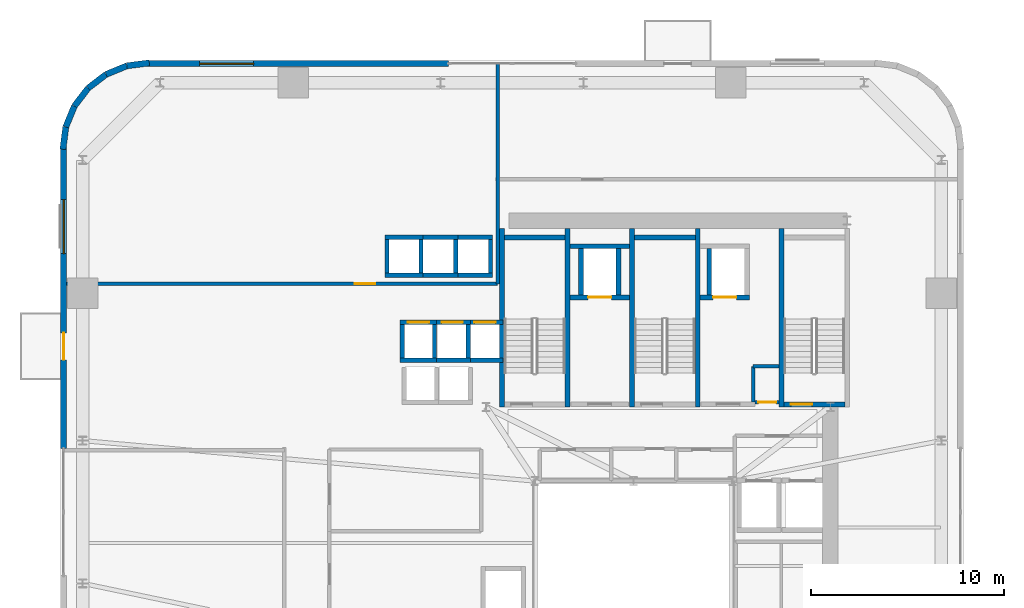
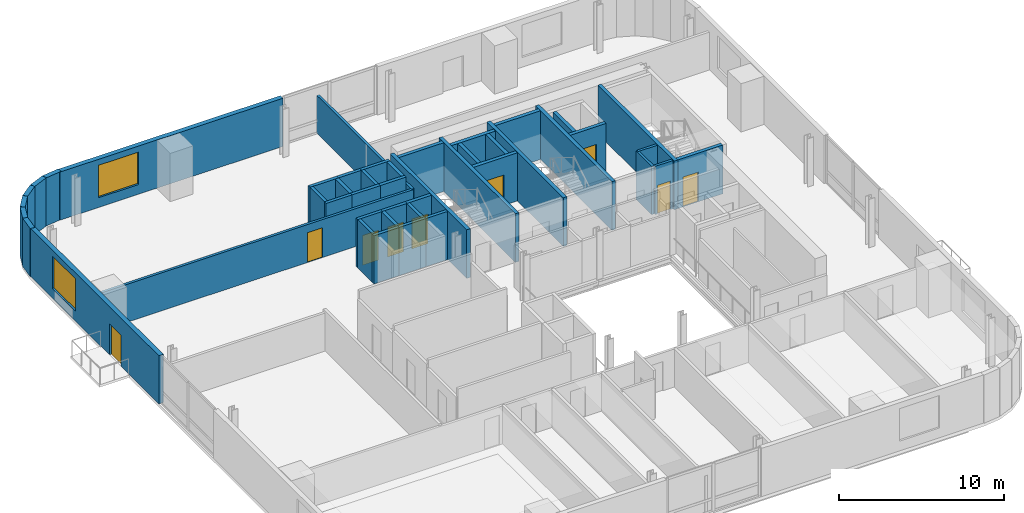
# One storey, part 8 of 14: 46 walls, 9 doors, 2 windows, 11 openings.
"""IFC4 building model written with IfcOpenShell, lengths in metres."""

from ifc_helpers import new_model, si_unit, direction, frame, frame_2d, origin, place, context, subcontext, project, spatial, rectangle, extrude, source, transform, mapped, material, layer, layer_set, type_object, element, fill, save


model = new_model("IFC4")

# Units and contexts
model_context = context("Model", 3, precision=1e-05, world=origin(), true_north=direction((0.0, 1.0)))
body_context = subcontext(model_context, "Body", "Model", "MODEL_VIEW")
ifc_project = project(units=[si_unit("LENGTHUNIT", "METRE"), si_unit("AREAUNIT", "SQUARE_METRE"), si_unit("VOLUMEUNIT", "CUBIC_METRE"), si_unit("PLANEANGLEUNIT", "RADIAN"), si_unit("MASSUNIT", "GRAM", prefix="KILO")], contexts=[model_context])

# Site, building, storey
site_placement = place(None, origin())
site = spatial("IfcSite", under=ifc_project, at=site_placement, CompositionType="ELEMENT")
building_placement = place(site_placement, origin())
building = spatial("IfcBuilding", under=site, at=building_placement, Name="Vardaveli Station Tower", CompositionType="ELEMENT")
storey_placement = place(building_placement, frame((0.0, 0.0, 103.699951171875)))
storey = spatial("IfcBuildingStorey", under=building, at=storey_placement, Name="L26", CompositionType="ELEMENT", Elevation=103.699951171875)

# Wall, opening, window
ifc_material_1 = material(Name="Precast concrete C45/55", Category="concrete")
ifc_layer_1 = layer(ifc_material_1, 0.320068359375, Name="Precast concrete C45/55")
ifc_layer_set_1 = layer_set([ifc_layer_1], Name="Precast concrete C45/55")
wall_type_1 = type_object("IfcWallType", Name="WAL-EXT-STONE-320", PredefinedType="SOLIDWALL", material=ifc_layer_set_1)
shared_shape_1 = source(origin(), body_context, "Body", "SweptSolid", [
    extrude(rectangle(XDim=15.599853515625, YDim=0.320068359375, at=frame_2d((7.7998046875, 0.0))), origin(), (0.0, 0.0, 1.0), 3.56005859375),
])
wall_1_placement = place(storey_placement, frame((26.699951171875, 48.43994140625, 0.0), z_axis=(0.0, 0.0, 1.0), x_axis=(-1.0, 0.0, 0.0)))
wall_1 = element("IfcWall", 1, at=wall_1_placement, inside=storey, type_object=wall_type_1, Name="EW-L26-N2", PredefinedType="SOLIDWALL", context=body_context, shape_type="MappedRepresentation", body=[
    mapped(shared_shape_1, transform((0.0, 0.0, 0.0), scale=1.0)),
])
shared_shape_2 = source(origin(), body_context, "Body", "SweptSolid", [
    extrude(rectangle(XDim=2.800048828125, YDim=2.39990234375, at=frame_2d((1.39990234375, 1.199951171875))), frame((0.0, 0.169921875, 0.0), z_axis=(0.0, -1.0, 0.0), x_axis=(1.0, 0.0, 0.0)), (0.0, 0.0, 1.0), 0.340087890625),
])
opening_1_placement = place(wall_1_placement, frame((10.094970703125, 0.0, 0.719970703125)))
opening_1 = element("IfcOpeningElement", 2, at=opening_1_placement, cuts=wall_1, Name="Opening W-04", PredefinedType="OPENING", context=body_context, shape_type="MappedRepresentation", body=[
    mapped(shared_shape_2, transform((0.0, 0.0, 0.0), scale=1.0)),
])
ifc_material_2 = material(Name="Low-E solar-control glass", Category="glass")
window_type = type_object("IfcWindowType", Name="WIN-SUITE-2800x2400", PartitioningType="SINGLE_PANEL", PredefinedType="WINDOW", material=ifc_material_2)
shared_shape_3 = source(origin(), body_context, "Body", "SweptSolid", [
    extrude(rectangle(XDim=2.800048828125, YDim=2.39990234375, at=frame_2d((1.39990234375, 1.199951171875))), frame((0.0, 0.030029296875, 0.0), z_axis=(0.0, -1.0, 0.0), x_axis=(1.0, 0.0, 0.0)), (0.0, 0.0, 1.0), 0.06005859375),
])
window_1_placement = place(opening_1_placement, origin())
window_1 = element("IfcWindow", 3, at=window_1_placement, inside=storey, type_object=window_type, Name="WN-L26-N2", OverallHeight=2.39990234375, OverallWidth=2.800048828125, PartitioningType="SINGLE_PANEL", PredefinedType="WINDOW", context=body_context, shape_type="MappedRepresentation", body=[
    mapped(shared_shape_3, transform((0.0, 0.0, 0.0), scale=1.0)),
])
fill(opening_1, window_1)

# Wall, openings, door, window
shared_shape_4 = source(origin(), body_context, "Body", "SweptSolid", [
    extrude(rectangle(XDim=15.60009765625, YDim=0.320068359375, at=frame_2d((7.800048828125, 0.0))), origin(), (0.0, 0.0, 1.0), 3.56005859375),
])
wall_2_placement = place(storey_placement, frame((6.760009765625, 44.10009765625, 0.0), z_axis=(0.0, 0.0, 1.0), x_axis=(0.0, -1.0, 0.0)))
wall_2 = element("IfcWall", 4, at=wall_2_placement, inside=storey, type_object=wall_type_1, Name="EW-L26-W1", PredefinedType="SOLIDWALL", context=body_context, shape_type="MappedRepresentation", body=[
    mapped(shared_shape_4, transform((0.0, 0.0, 0.0), scale=1.0)),
])
shared_shape_5 = source(origin(), body_context, "Body", "SweptSolid", [
    extrude(rectangle(XDim=1.39990234375, YDim=2.300048828125, at=frame_2d((0.699951171875, 1.14990234375))), frame((0.0, 0.169921875, 0.0), z_axis=(0.0, -1.0, 0.0), x_axis=(1.0, 0.0, 0.0)), (0.0, 0.0, 1.0), 0.340087890625),
])
opening_2_placement = place(wall_2_placement, frame((9.6103515625, 0.0, 0.0)))
opening_2 = element("IfcOpeningElement", 5, at=opening_2_placement, cuts=wall_2, Name="Opening D-09", PredefinedType="OPENING", context=body_context, shape_type="MappedRepresentation", body=[
    mapped(shared_shape_5, transform((0.0, 0.0, 0.0), scale=1.0)),
])
opening_3_placement = place(wall_2_placement, frame((2.705078125, 0.0, 0.719970703125)))
opening_3 = element("IfcOpeningElement", 6, at=opening_3_placement, cuts=wall_2, Name="Opening W-04", PredefinedType="OPENING", context=body_context, shape_type="MappedRepresentation", body=[
    mapped(shared_shape_2, transform((0.0, 0.0, 0.0), scale=1.0)),
])
ifc_material_3 = material(Name="Thermally broken aluminium glass", Category="aluminium")
door_type_1 = type_object("IfcDoorType", Name="DR-LOG-1400x2300", OperationType="DOUBLE_DOOR_SLIDING", PredefinedType="DOOR", material=ifc_material_3)
shared_shape_6 = source(origin(), body_context, "Body", "SweptSolid", [
    extrude(rectangle(XDim=1.39990234375, YDim=2.300048828125, at=frame_2d((0.699951171875, 1.14990234375))), frame((0.0, 0.02490234375, 0.0), z_axis=(0.0, -1.0, 0.0), x_axis=(1.0, 0.0, 0.0)), (0.0, 0.0, 1.0), 0.050048828125),
])
door_1_placement = place(opening_2_placement, frame((1.39990234375, 0.0, 0.0), z_axis=(0.0, 0.0, 1.0), x_axis=(-1.0, 0.0, 0.0)))
door_1 = element("IfcDoor", 7, at=door_1_placement, inside=storey, type_object=door_type_1, Name="DLG-L26-W", OperationType="DOUBLE_DOOR_SLIDING", OverallHeight=2.300048828125, OverallWidth=1.39990234375, PredefinedType="DOOR", context=body_context, shape_type="MappedRepresentation", body=[
    mapped(shared_shape_6, transform((0.0, 0.0, 0.0), scale=1.0)),
])
fill(opening_2, door_1)
window_2_placement = place(opening_3_placement, origin())
window_2 = element("IfcWindow", 8, at=window_2_placement, inside=storey, type_object=window_type, Name="WN-L26-W1", OverallHeight=2.39990234375, OverallWidth=2.800048828125, PartitioningType="SINGLE_PANEL", PredefinedType="WINDOW", context=body_context, shape_type="MappedRepresentation", body=[
    mapped(shared_shape_3, transform((0.0, 0.0, 0.0), scale=1.0)),
])
fill(opening_3, window_2)

# Walls
shared_shape_7 = source(origin(), body_context, "Body", "SweptSolid", [
    extrude(rectangle(XDim=1.1689453125, YDim=0.320068359375, at=frame_2d((0.58447265625, 0.0))), origin(), (0.0, 0.0, 1.0), 3.56005859375),
])
wall_3_placement = place(storey_placement, frame((8.03125, 47.1689453125, 0.0), z_axis=(0.0, 0.0, 1.0), x_axis=(-0.608387696831, -0.793639975269, 0.0)))
element("IfcWall", 9, at=wall_3_placement, inside=storey, type_object=wall_type_1, Name="EW-L26-CR4-4", PredefinedType="SOLIDWALL", context=body_context, shape_type="MappedRepresentation", body=[
    mapped(shared_shape_7, transform((0.0, 0.0, 0.0), scale=1.0)),
])
shared_shape_8 = source(origin(), body_context, "Body", "SweptSolid", [
    extrude(rectangle(XDim=1.168701171875, YDim=0.320068359375, at=frame_2d((0.58447265625, 0.0))), origin(), (0.0, 0.0, 1.0), 3.56005859375),
])
wall_4_placement = place(storey_placement, frame((8.958740234375, 47.8798828125, 0.0), z_axis=(0.0, 0.0, 1.0), x_axis=(-0.793663520347, -0.608356981114, 0.0)))
element("IfcWall", 10, at=wall_4_placement, inside=storey, type_object=wall_type_1, Name="EW-L26-CR4-3", PredefinedType="SOLIDWALL", context=body_context, shape_type="MappedRepresentation", body=[
    mapped(shared_shape_8, transform((0.0, 0.0, 0.0), scale=1.0)),
])
shared_shape_9 = source(origin(), body_context, "Body", "SweptSolid", [
    extrude(rectangle(XDim=1.17041015625, YDim=0.320068359375, at=frame_2d((0.585205078125, 0.0))), origin(), (0.0, 0.0, 1.0), 3.56005859375),
])
for number, where, z_axis, x_axis, name in (
    (11, (11.200439453125, 48.4755859375, 0.0), (0.0, 0.0, 1.0), (-0.991735963317, -0.128295670475, 0.0), "EW-L26-CR4-1"),
    (12, (6.87451171875, 45.16015625, 0.0), (0.0, 0.0, 1.0), (-0.128295670475, -0.991735963317, 0.0), "EW-L26-CR4-6"),
):
    element("IfcWall", number, at=place(storey_placement, frame(where, z_axis=z_axis, x_axis=x_axis)), inside=storey, type_object=wall_type_1, Name=name, PredefinedType="SOLIDWALL", context=body_context, shape_type="MappedRepresentation", body=[
        mapped(shared_shape_9, transform((0.0, 0.0, 0.0), scale=1.0)),
    ])
shared_shape_10 = source(origin(), body_context, "Body", "SweptSolid", [
    extrude(rectangle(XDim=1.169189453125, YDim=0.320068359375, at=frame_2d((0.58447265625, 0.0))), origin(), (0.0, 0.0, 1.0), 3.56005859375),
])
for number, where, z_axis, x_axis, name in (
    (13, (10.039794921875, 48.325439453125, 0.0), (0.0, 0.0, 1.0), (-0.924552646638, -0.381054331552, 0.0), "EW-L26-CR4-2"),
    (14, (7.320068359375, 46.2412109375, 0.0), (0.0, 0.0, 1.0), (-0.381054331552, -0.924552646638, 0.0), "EW-L26-CR4-5"),
):
    element("IfcWall", number, at=place(storey_placement, frame(where, z_axis=z_axis, x_axis=x_axis)), inside=storey, type_object=wall_type_1, Name=name, PredefinedType="SOLIDWALL", context=body_context, shape_type="MappedRepresentation", body=[
        mapped(shared_shape_10, transform((0.0, 0.0, 0.0), scale=1.0)),
    ])
ifc_material_4 = material(Name="Concrete C40/50", Category="concrete")
ifc_layer_2 = layer(ifc_material_4, 0.25, Name="Concrete C40/50")
ifc_layer_set_2 = layer_set([ifc_layer_2], Name="Concrete C40/50")
wall_type_2 = type_object("IfcWallType", Name="WAL-SHAFT-250", PredefinedType="SOLIDWALL", material=ifc_layer_set_2)
shared_shape_11 = source(origin(), body_context, "Body", "SweptSolid", [
    extrude(rectangle(XDim=9.25, YDim=0.25, at=frame_2d((4.625, 0.0))), origin(), (0.0, 0.0, 1.0), 3.60009765625),
])
for number, where, z_axis, x_axis, name in (
    (15, (29.47509765625, 30.64990234375, 0.0), (0.0, 0.0, 1.0), (0.0, 1.0, 0.0), "W-L26-ST-1W"),
    (16, (32.875, 30.64990234375, 0.0), (0.0, 0.0, 1.0), (0.0, 1.0, 0.0), "W-L26-ST-1E"),
    (17, (36.22509765625, 30.64990234375, 0.0), (0.0, 0.0, 1.0), (0.0, 1.0, 0.0), "W-L26-ST-2W"),
    (18, (39.625, 30.64990234375, 0.0), (0.0, 0.0, 1.0), (0.0, 1.0, 0.0), "W-L26-ST-2E"),
    (19, (43.97509765625, 30.64990234375, 0.0), (0.0, 0.0, 1.0), (0.0, 1.0, 0.0), "W-L26-ST-3W"),
):
    element("IfcWall", number, at=place(storey_placement, frame(where, z_axis=z_axis, x_axis=x_axis)), inside=storey, type_object=wall_type_2, Name=name, PredefinedType="SOLIDWALL", context=body_context, shape_type="MappedRepresentation", body=[
        mapped(shared_shape_11, transform((0.0, 0.0, 0.0), scale=1.0)),
    ])
shared_shape_12 = source(origin(), body_context, "Body", "SweptSolid", [
    extrude(rectangle(XDim=3.14990234375, YDim=0.25, at=frame_2d((1.574951171875, 0.0))), origin(), (0.0, 0.0, 1.0), 3.60009765625),
])
for number, where, z_axis, x_axis, name in (
    (20, (29.60009765625, 39.425048828125, 0.0), (0.0, 0.0, 1.0), (1.0, 0.0, 0.0), "W-L26-ST-1N"),
    (21, (36.35009765625, 39.425048828125, 0.0), (0.0, 0.0, 1.0), (1.0, 0.0, 0.0), "W-L26-ST-2N"),
):
    element("IfcWall", number, at=place(storey_placement, frame(where, z_axis=z_axis, x_axis=x_axis)), inside=storey, type_object=wall_type_2, Name=name, PredefinedType="SOLIDWALL", context=body_context, shape_type="MappedRepresentation", body=[
        mapped(shared_shape_12, transform((0.0, 0.0, 0.0), scale=1.0)),
    ])

# Wall, opening, door
wall_5_placement = place(storey_placement, frame((44.10009765625, 30.77490234375, 0.0), z_axis=(0.0, 0.0, 1.0), x_axis=(1.0, 0.0, 0.0)))
wall_5 = element("IfcWall", 22, at=wall_5_placement, inside=storey, type_object=wall_type_2, Name="W-L26-ST-3S", PredefinedType="SOLIDWALL", context=body_context, shape_type="MappedRepresentation", body=[
    mapped(shared_shape_12, transform((0.0, 0.0, 0.0), scale=1.0)),
])
shared_shape_13 = source(origin(), body_context, "Body", "SweptSolid", [
    extrude(rectangle(XDim=1.10009765625, YDim=2.199951171875, at=frame_2d((0.550048828125, 1.10009765625))), frame((0.0, 0.135009765625, 0.0), z_axis=(0.0, -1.0, 0.0), x_axis=(1.0, 0.0, 0.0)), (0.0, 0.0, 1.0), 0.27001953125),
])
opening_4_placement = place(wall_5_placement, frame((0.35009765625, 0.0, 0.0)))
opening_4 = element("IfcOpeningElement", 23, at=opening_4_placement, cuts=wall_5, Name="Opening D-04", PredefinedType="OPENING", context=body_context, shape_type="MappedRepresentation", body=[
    mapped(shared_shape_13, transform((0.0, 0.0, 0.0), scale=1.0)),
])
ifc_material_5 = material(Name="Steel smokeproof fire doorset", Category="steel")
door_type_2 = type_object("IfcDoorType", Name="DR-ST-1100x2200", OperationType="NOTDEFINED", PredefinedType="DOOR", material=ifc_material_5)
shared_shape_14 = source(origin(), body_context, "Body", "SweptSolid", [
    extrude(rectangle(XDim=1.10009765625, YDim=2.199951171875, at=frame_2d((0.550048828125, 1.10009765625))), frame((0.0, 0.02490234375, 0.0), z_axis=(0.0, -1.0, 0.0), x_axis=(1.0, 0.0, 0.0)), (0.0, 0.0, 1.0), 0.050048828125),
])
door_2_placement = place(opening_4_placement, origin())
door_2 = element("IfcDoor", 24, at=door_2_placement, inside=storey, type_object=door_type_2, Name="DST-3-L26", OperationType="SINGLE_SWING_LEFT", OverallHeight=2.199951171875, OverallWidth=1.10009765625, PredefinedType="DOOR", context=body_context, shape_type="MappedRepresentation", body=[
    mapped(shared_shape_14, transform((0.0, 0.0, 0.0), scale=1.0)),
])
fill(opening_4, door_2)

# Walls
ifc_layer_3 = layer(ifc_material_4, 0.219970703125, Name="Concrete C40/50")
ifc_layer_set_3 = layer_set([ifc_layer_3], Name="Concrete C40/50")
wall_type_3 = type_object("IfcWallType", Name="WAL-FFLOBBY-220", PredefinedType="SOLIDWALL", material=ifc_layer_set_3)
shared_shape_15 = source(origin(), body_context, "Body", "SweptSolid", [
    extrude(rectangle(XDim=1.989990234375, YDim=0.219970703125, at=frame_2d((0.9951171875, 0.0))), origin(), (0.0, 0.0, 1.0), 3.56005859375),
])
for number, where, z_axis, x_axis, name in (
    (25, (23.405029296875, 37.465087890625, 0.0), (0.0, 0.0, 1.0), (1.0, 0.0, 0.0), "SHW-HL1-01-L26-S"),
    (26, (23.405029296875, 39.43505859375, 0.0), (0.0, 0.0, 1.0), (1.0, 0.0, 0.0), "SHW-HL1-01-L26-N"),
    (27, (25.205078125, 37.465087890625, 0.0), (0.0, 0.0, 1.0), (1.0, 0.0, 0.0), "SHW-HL1-02-L26-S"),
    (28, (25.205078125, 39.43505859375, 0.0), (0.0, 0.0, 1.0), (1.0, 0.0, 0.0), "SHW-HL1-02-L26-N"),
):
    element("IfcWall", number, at=place(storey_placement, frame(where, z_axis=z_axis, x_axis=x_axis)), inside=storey, type_object=wall_type_3, Name=name, PredefinedType="SOLIDWALL", context=body_context, shape_type="MappedRepresentation", body=[
        mapped(shared_shape_15, transform((0.0, 0.0, 0.0), scale=1.0)),
    ])
shared_shape_16 = source(origin(), body_context, "Body", "SweptSolid", [
    extrude(rectangle(XDim=1.75, YDim=0.219970703125, at=frame_2d((0.875, 0.0))), origin(), (0.0, 0.0, 1.0), 3.56005859375),
])
for number, where, z_axis, x_axis, name in (
    (29, (23.514892578125, 37.574951171875, 0.0), (0.0, 0.0, 1.0), (0.0, 1.0, 0.0), "SHW-HL1-01-L26-W"),
    (30, (25.284912109375, 37.574951171875, 0.0), (0.0, 0.0, 1.0), (0.0, 1.0, 0.0), "SHW-HL1-01-L26-E"),
    (31, (27.0849609375, 37.574951171875, 0.0), (0.0, 0.0, 1.0), (0.0, 1.0, 0.0), "SHW-HL1-02-L26-E"),
    (32, (28.885009765625, 37.574951171875, 0.0), (0.0, 0.0, 1.0), (0.0, 1.0, 0.0), "SHW-HL1-03-L26-E"),
    (33, (24.31494140625, 33.175048828125, 0.0), (0.0, 0.0, 1.0), (0.0, 1.0, 0.0), "SHW-HL2-01-L26-W"),
    (34, (25.985107421875, 33.175048828125, 0.0), (0.0, 0.0, 1.0), (0.0, 1.0, 0.0), "SHW-HL2-01-L26-E"),
    (35, (27.735107421875, 33.175048828125, 0.0), (0.0, 0.0, 1.0), (0.0, 1.0, 0.0), "SHW-HL2-02-L26-E"),
):
    element("IfcWall", number, at=place(storey_placement, frame(where, z_axis=z_axis, x_axis=x_axis)), inside=storey, type_object=wall_type_3, Name=name, PredefinedType="SOLIDWALL", context=body_context, shape_type="MappedRepresentation", body=[
        mapped(shared_shape_16, transform((0.0, 0.0, 0.0), scale=1.0)),
    ])
shared_shape_17 = source(origin(), body_context, "Body", "SweptSolid", [
    extrude(rectangle(XDim=1.990234375, YDim=0.219970703125, at=frame_2d((0.9951171875, 0.0))), origin(), (0.0, 0.0, 1.0), 3.56005859375),
])
for number, where, z_axis, x_axis, name in (
    (36, (27.0048828125, 37.465087890625, 0.0), (0.0, 0.0, 1.0), (1.0, 0.0, 0.0), "SHW-HL1-03-L26-S"),
    (37, (27.0048828125, 39.43505859375, 0.0), (0.0, 0.0, 1.0), (1.0, 0.0, 0.0), "SHW-HL1-03-L26-N"),
):
    element("IfcWall", number, at=place(storey_placement, frame(where, z_axis=z_axis, x_axis=x_axis)), inside=storey, type_object=wall_type_3, Name=name, PredefinedType="SOLIDWALL", context=body_context, shape_type="MappedRepresentation", body=[
        mapped(shared_shape_17, transform((0.0, 0.0, 0.0), scale=1.0)),
    ])
shared_shape_18 = source(origin(), body_context, "Body", "SweptSolid", [
    extrude(rectangle(XDim=1.889892578125, YDim=0.219970703125, at=frame_2d((0.94482421875, 0.0))), origin(), (0.0, 0.0, 1.0), 3.56005859375),
])
wall_6_placement = place(storey_placement, frame((24.205078125, 33.06494140625, 0.0), z_axis=(0.0, 0.0, 1.0), x_axis=(1.0, 0.0, 0.0)))
element("IfcWall", 38, at=wall_6_placement, inside=storey, type_object=wall_type_3, Name="SHW-HL2-01-L26-S", PredefinedType="SOLIDWALL", context=body_context, shape_type="MappedRepresentation", body=[
    mapped(shared_shape_18, transform((0.0, 0.0, 0.0), scale=1.0)),
])

# Wall, opening, door
wall_7_placement = place(storey_placement, frame((24.205078125, 35.034912109375, 0.0), z_axis=(0.0, 0.0, 1.0), x_axis=(1.0, 0.0, 0.0)))
wall_7 = element("IfcWall", 39, at=wall_7_placement, inside=storey, type_object=wall_type_3, Name="SHW-HL2-01-L26-N", PredefinedType="SOLIDWALL", context=body_context, shape_type="MappedRepresentation", body=[
    mapped(shared_shape_18, transform((0.0, 0.0, 0.0), scale=1.0)),
])
shared_shape_19 = source(origin(), body_context, "Body", "SweptSolid", [
    extrude(rectangle(XDim=1.10009765625, YDim=2.199951171875, at=frame_2d((0.550048828125, 1.10009765625))), frame((0.0, 0.1201171875, 0.0), z_axis=(0.0, -1.0, 0.0), x_axis=(1.0, 0.0, 0.0)), (0.0, 0.0, 1.0), 0.239990234375),
])
opening_5_placement = place(wall_7_placement, frame((0.39501953125, 0.0, 0.0)))
opening_5 = element("IfcOpeningElement", 40, at=opening_5_placement, cuts=wall_7, Name="Opening LD-01", PredefinedType="OPENING", context=body_context, shape_type="MappedRepresentation", body=[
    mapped(shared_shape_19, transform((0.0, 0.0, 0.0), scale=1.0)),
])
ifc_material_6 = material(Name="Brushed stainless steel", Category="steel")
door_type_3 = type_object("IfcDoorType", Name="DR-LD-1100x2200", OperationType="DOUBLE_DOOR_SLIDING", PredefinedType="DOOR", material=ifc_material_6)
door_3_placement = place(opening_5_placement, origin())
door_3 = element("IfcDoor", 41, at=door_3_placement, inside=storey, type_object=door_type_3, Name="LD-HL2-01-L26", OperationType="DOUBLE_DOOR_SLIDING", OverallHeight=2.199951171875, OverallWidth=1.10009765625, PredefinedType="DOOR", context=body_context, shape_type="MappedRepresentation", body=[
    mapped(shared_shape_14, transform((0.0, 0.0, 0.0), scale=1.0)),
])
fill(opening_5, door_3)

# Wall
wall_8_placement = place(storey_placement, frame((25.955078125, 33.06494140625, 0.0), z_axis=(0.0, 0.0, 1.0), x_axis=(1.0, 0.0, 0.0)))
element("IfcWall", 42, at=wall_8_placement, inside=storey, type_object=wall_type_3, Name="SHW-HL2-02-L26-S", PredefinedType="SOLIDWALL", context=body_context, shape_type="MappedRepresentation", body=[
    mapped(shared_shape_18, transform((0.0, 0.0, 0.0), scale=1.0)),
])

# Wall, opening, door
wall_9_placement = place(storey_placement, frame((25.955078125, 35.034912109375, 0.0), z_axis=(0.0, 0.0, 1.0), x_axis=(1.0, 0.0, 0.0)))
wall_9 = element("IfcWall", 43, at=wall_9_placement, inside=storey, type_object=wall_type_3, Name="SHW-HL2-02-L26-N", PredefinedType="SOLIDWALL", context=body_context, shape_type="MappedRepresentation", body=[
    mapped(shared_shape_18, transform((0.0, 0.0, 0.0), scale=1.0)),
])
opening_6_placement = place(wall_9_placement, frame((0.39501953125, 0.0, 0.0)))
opening_6 = element("IfcOpeningElement", 44, at=opening_6_placement, cuts=wall_9, Name="Opening LD-01", PredefinedType="OPENING", context=body_context, shape_type="MappedRepresentation", body=[
    mapped(shared_shape_19, transform((0.0, 0.0, 0.0), scale=1.0)),
])
door_4_placement = place(opening_6_placement, origin())
door_4 = element("IfcDoor", 45, at=door_4_placement, inside=storey, type_object=door_type_3, Name="LD-HL2-02-L26", OperationType="DOUBLE_DOOR_SLIDING", OverallHeight=2.199951171875, OverallWidth=1.10009765625, PredefinedType="DOOR", context=body_context, shape_type="MappedRepresentation", body=[
    mapped(shared_shape_14, transform((0.0, 0.0, 0.0), scale=1.0)),
])
fill(opening_6, door_4)

# Wall
wall_10_placement = place(storey_placement, frame((27.655029296875, 33.06494140625, 0.0), z_axis=(0.0, 0.0, 1.0), x_axis=(1.0, 0.0, 0.0)))
element("IfcWall", 46, at=wall_10_placement, inside=storey, type_object=wall_type_3, Name="SHW-HL2-03-L26-S", PredefinedType="SOLIDWALL", context=body_context, shape_type="MappedRepresentation", body=[
    mapped(shared_shape_18, transform((0.0, 0.0, 0.0), scale=1.0)),
])

# Wall, opening, door
wall_11_placement = place(storey_placement, frame((27.655029296875, 35.034912109375, 0.0), z_axis=(0.0, 0.0, 1.0), x_axis=(1.0, 0.0, 0.0)))
wall_11 = element("IfcWall", 47, at=wall_11_placement, inside=storey, type_object=wall_type_3, Name="SHW-HL2-03-L26-N", PredefinedType="SOLIDWALL", context=body_context, shape_type="MappedRepresentation", body=[
    mapped(shared_shape_18, transform((0.0, 0.0, 0.0), scale=1.0)),
])
opening_7_placement = place(wall_11_placement, frame((0.39501953125, 0.0, 0.0)))
opening_7 = element("IfcOpeningElement", 48, at=opening_7_placement, cuts=wall_11, Name="Opening LD-01", PredefinedType="OPENING", context=body_context, shape_type="MappedRepresentation", body=[
    mapped(shared_shape_19, transform((0.0, 0.0, 0.0), scale=1.0)),
])
door_5_placement = place(opening_7_placement, origin())
door_5 = element("IfcDoor", 49, at=door_5_placement, inside=storey, type_object=door_type_3, Name="LD-HL2-03-L26", OperationType="DOUBLE_DOOR_SLIDING", OverallHeight=2.199951171875, OverallWidth=1.10009765625, PredefinedType="DOOR", context=body_context, shape_type="MappedRepresentation", body=[
    mapped(shared_shape_14, transform((0.0, 0.0, 0.0), scale=1.0)),
])
fill(opening_7, door_5)

shared_shape_20 = source(origin(), body_context, "Body", "SweptSolid", [
    extrude(rectangle(XDim=3.10009765625, YDim=0.25, at=frame_2d((1.550048828125, 0.0))), origin(), (0.0, 0.0, 1.0), 3.56005859375),
])
wall_12_placement = place(storey_placement, frame((33.0, 36.324951171875, 0.0), z_axis=(0.0, 0.0, 1.0), x_axis=(1.0, 0.0, 0.0)))
wall_12 = element("IfcWall", 50, at=wall_12_placement, inside=storey, type_object=wall_type_2, Name="SHW-FFL-01-L26-S", PredefinedType="SOLIDWALL", context=body_context, shape_type="MappedRepresentation", body=[
    mapped(shared_shape_20, transform((0.0, 0.0, 0.0), scale=1.0)),
])
shared_shape_21 = source(origin(), body_context, "Body", "SweptSolid", [
    extrude(rectangle(XDim=1.199951171875, YDim=2.25, at=frame_2d((0.60009765625, 1.125))), frame((0.0, 0.135009765625, 0.0), z_axis=(0.0, -1.0, 0.0), x_axis=(1.0, 0.0, 0.0)), (0.0, 0.0, 1.0), 0.27001953125),
])
opening_8_placement = place(wall_12_placement, frame((0.949951171875, 0.0, 0.0)))
opening_8 = element("IfcOpeningElement", 51, at=opening_8_placement, cuts=wall_12, Name="Opening LD-02", PredefinedType="OPENING", context=body_context, shape_type="MappedRepresentation", body=[
    mapped(shared_shape_21, transform((0.0, 0.0, 0.0), scale=1.0)),
])
door_type_4 = type_object("IfcDoorType", Name="DR-LD-1200x2250", OperationType="DOUBLE_DOOR_SLIDING", PredefinedType="DOOR", material=ifc_material_6)
shared_shape_22 = source(origin(), body_context, "Body", "SweptSolid", [
    extrude(rectangle(XDim=1.199951171875, YDim=2.25, at=frame_2d((0.60009765625, 1.125))), frame((0.0, 0.02490234375, 0.0), z_axis=(0.0, -1.0, 0.0), x_axis=(1.0, 0.0, 0.0)), (0.0, 0.0, 1.0), 0.050048828125),
])
door_6_placement = place(opening_8_placement, origin())
door_6 = element("IfcDoor", 52, at=door_6_placement, inside=storey, type_object=door_type_4, Name="LD-FFL-01-L26", OperationType="DOUBLE_DOOR_SLIDING", OverallHeight=2.25, OverallWidth=1.199951171875, PredefinedType="DOOR", context=body_context, shape_type="MappedRepresentation", body=[
    mapped(shared_shape_22, transform((0.0, 0.0, 0.0), scale=1.0)),
])
fill(opening_8, door_6)

# Walls
wall_13_placement = place(storey_placement, frame((33.0, 38.97509765625, 0.0), z_axis=(0.0, 0.0, 1.0), x_axis=(1.0, 0.0, 0.0)))
element("IfcWall", 53, at=wall_13_placement, inside=storey, type_object=wall_type_2, Name="SHW-FFL-01-L26-N", PredefinedType="SOLIDWALL", context=body_context, shape_type="MappedRepresentation", body=[
    mapped(shared_shape_20, transform((0.0, 0.0, 0.0), scale=1.0)),
])
shared_shape_23 = source(origin(), body_context, "Body", "SweptSolid", [
    extrude(rectangle(XDim=2.400146484375, YDim=0.25, at=frame_2d((1.2001953125, 0.0))), origin(), (0.0, 0.0, 1.0), 3.56005859375),
])
for number, where, z_axis, x_axis, name in (
    (54, (33.574951171875, 36.449951171875, 0.0), (0.0, 0.0, 1.0), (0.0, 1.0, 0.0), "SHW-FFL-01-L26-W"),
    (55, (35.52490234375, 36.449951171875, 0.0), (0.0, 0.0, 1.0), (0.0, 1.0, 0.0), "SHW-FFL-01-L26-E"),
    (56, (40.22509765625, 36.449951171875, 0.0), (0.0, 0.0, 1.0), (0.0, 1.0, 0.0), "SHW-FFL-02-L26-W"),
):
    element("IfcWall", number, at=place(storey_placement, frame(where, z_axis=z_axis, x_axis=x_axis)), inside=storey, type_object=wall_type_2, Name=name, PredefinedType="SOLIDWALL", context=body_context, shape_type="MappedRepresentation", body=[
        mapped(shared_shape_23, transform((0.0, 0.0, 0.0), scale=1.0)),
    ])

# Wall, opening, door
shared_shape_24 = source(origin(), body_context, "Body", "SweptSolid", [
    extrude(rectangle(XDim=2.550048828125, YDim=0.25, at=frame_2d((1.27490234375, 0.0))), origin(), (0.0, 0.0, 1.0), 3.56005859375),
])
wall_14_placement = place(storey_placement, frame((39.75, 36.324951171875, 0.0), z_axis=(0.0, 0.0, 1.0), x_axis=(1.0, 0.0, 0.0)))
wall_14 = element("IfcWall", 57, at=wall_14_placement, inside=storey, type_object=wall_type_2, Name="SHW-FFL-02-L26-S", PredefinedType="SOLIDWALL", context=body_context, shape_type="MappedRepresentation", body=[
    mapped(shared_shape_24, transform((0.0, 0.0, 0.0), scale=1.0)),
])
opening_9_placement = place(wall_14_placement, frame((0.675048828125, 0.0, 0.0)))
opening_9 = element("IfcOpeningElement", 58, at=opening_9_placement, cuts=wall_14, Name="Opening LD-02", PredefinedType="OPENING", context=body_context, shape_type="MappedRepresentation", body=[
    mapped(shared_shape_21, transform((0.0, 0.0, 0.0), scale=1.0)),
])
door_7_placement = place(opening_9_placement, origin())
door_7 = element("IfcDoor", 59, at=door_7_placement, inside=storey, type_object=door_type_4, Name="LD-FFL-02-L26", OperationType="DOUBLE_DOOR_SLIDING", OverallHeight=2.25, OverallWidth=1.199951171875, PredefinedType="DOOR", context=body_context, shape_type="MappedRepresentation", body=[
    mapped(shared_shape_22, transform((0.0, 0.0, 0.0), scale=1.0)),
])
fill(opening_9, door_7)

ifc_material_7 = material(Name="Fire-rated gypsum stud partition")
ifc_layer_4 = layer(ifc_material_7, 0.179931640625, Name="Fire-rated gypsum stud partition")
ifc_layer_set_4 = layer_set([ifc_layer_4], Name="Fire-rated gypsum stud partition")
wall_type_4 = type_object("IfcWallType", Name="WAL-CORR-180", PredefinedType="PARTITIONING", material=ifc_layer_set_4)
shared_shape_25 = source(origin(), body_context, "Body", "SweptSolid", [
    extrude(rectangle(XDim=22.327880859375, YDim=0.179931640625, at=frame_2d((11.1640625, 0.0))), origin(), (0.0, 0.0, 1.0), 2.802001953125),
])
wall_15_placement = place(storey_placement, frame((6.922119140625, 37.02001953125, 0.0), z_axis=(0.0, 0.0, 1.0), x_axis=(1.0, 0.0, 0.0)))
wall_15 = element("IfcWall", 60, at=wall_15_placement, inside=storey, type_object=wall_type_4, Name="W-L26-CNWS", PredefinedType="PARTITIONING", context=body_context, shape_type="MappedRepresentation", body=[
    mapped(shared_shape_25, transform((0.0, 0.0, 0.0), scale=1.0)),
])
shared_shape_26 = source(origin(), body_context, "Body", "SweptSolid", [
    extrude(rectangle(XDim=1.050048828125, YDim=2.199951171875, at=frame_2d((0.52490234375, 1.10009765625))), frame((0.0, 0.10009765625, 0.0), z_axis=(0.0, -1.0, 0.0), x_axis=(1.0, 0.0, 0.0)), (0.0, 0.0, 1.0), 0.199951171875),
])
opening_10_placement = place(wall_15_placement, frame((14.927978515625, 0.0, 0.0)))
opening_10 = element("IfcOpeningElement", 61, at=opening_10_placement, cuts=wall_15, Name="Opening D-05", PredefinedType="OPENING", context=body_context, shape_type="MappedRepresentation", body=[
    mapped(shared_shape_26, transform((0.0, 0.0, 0.0), scale=1.0)),
])
ifc_material_8 = material(Name="Walnut veneer acoustic fire door")
door_type_5 = type_object("IfcDoorType", Name="DR-SUITE-1050x2200", OperationType="NOTDEFINED", PredefinedType="DOOR", material=ifc_material_8)
shared_shape_27 = source(origin(), body_context, "Body", "SweptSolid", [
    extrude(rectangle(XDim=1.050048828125, YDim=2.199951171875, at=frame_2d((0.52490234375, 1.10009765625))), frame((0.0, 0.02490234375, 0.0), z_axis=(0.0, -1.0, 0.0), x_axis=(1.0, 0.0, 0.0)), (0.0, 0.0, 1.0), 0.050048828125),
])
door_8_placement = place(opening_10_placement, origin())
door_8 = element("IfcDoor", 62, at=door_8_placement, inside=storey, type_object=door_type_5, Name="D-L26-GNW1", OperationType="SINGLE_SWING_RIGHT", OverallHeight=2.199951171875, OverallWidth=1.050048828125, PredefinedType="DOOR", context=body_context, shape_type="MappedRepresentation", body=[
    mapped(shared_shape_27, transform((0.0, 0.0, 0.0), scale=1.0)),
])
fill(opening_10, door_8)

shared_shape_28 = source(origin(), body_context, "Body", "SweptSolid", [
    extrude(rectangle(XDim=1.247802734375, YDim=0.179931640625, at=frame_2d((0.6240234375, 0.0))), origin(), (0.0, 0.0, 1.0), 3.56005859375),
])
wall_16_placement = place(storey_placement, frame((42.60009765625, 30.8798828125, 0.0), z_axis=(0.0, 0.0, 1.0), x_axis=(1.0, 0.0, 0.0)))
wall_16 = element("IfcWall", 63, at=wall_16_placement, inside=storey, type_object=wall_type_4, Name="W-L26-CBS2A-S", PredefinedType="PARTITIONING", context=body_context, shape_type="MappedRepresentation", body=[
    mapped(shared_shape_28, transform((0.0, 0.0, 0.0), scale=1.0)),
])
shared_shape_29 = source(origin(), body_context, "Body", "SweptSolid", [
    extrude(rectangle(XDim=0.919921875, YDim=2.10009765625, at=frame_2d((0.4599609375, 1.050048828125))), frame((0.0, 0.10009765625, 0.0), z_axis=(0.0, -1.0, 0.0), x_axis=(1.0, 0.0, 0.0)), (0.0, 0.0, 1.0), 0.199951171875),
])
opening_11_placement = place(wall_16_placement, frame((0.1640625, 0.0, 0.0)))
opening_11 = element("IfcOpeningElement", 64, at=opening_11_placement, cuts=wall_16, Name="Opening D-07", PredefinedType="OPENING", context=body_context, shape_type="MappedRepresentation", body=[
    mapped(shared_shape_29, transform((0.0, 0.0, 0.0), scale=1.0)),
])
ifc_material_9 = material(Name="Moisture-resistant hardwood door", Category="wood")
door_type_6 = type_object("IfcDoorType", Name="DR-WC-920x2100", OperationType="NOTDEFINED", PredefinedType="DOOR", material=ifc_material_9)
shared_shape_30 = source(origin(), body_context, "Body", "SweptSolid", [
    extrude(rectangle(XDim=0.919921875, YDim=2.10009765625, at=frame_2d((0.4599609375, 1.050048828125))), frame((0.0, 0.02490234375, 0.0), z_axis=(0.0, -1.0, 0.0), x_axis=(1.0, 0.0, 0.0)), (0.0, 0.0, 1.0), 0.050048828125),
])
door_9_placement = place(opening_11_placement, origin())
door_9 = element("IfcDoor", 65, at=door_9_placement, inside=storey, type_object=door_type_6, Name="D-L26-CBS1", OperationType="SINGLE_SWING_LEFT", OverallHeight=2.10009765625, OverallWidth=0.919921875, PredefinedType="DOOR", context=body_context, shape_type="MappedRepresentation", body=[
    mapped(shared_shape_30, transform((0.0, 0.0, 0.0), scale=1.0)),
])
fill(opening_11, door_9)

# Walls
shared_shape_31 = source(origin(), body_context, "Body", "SweptSolid", [
    extrude(rectangle(XDim=11.449951171875, YDim=0.179931640625, at=frame_2d((5.72509765625, 0.0))), origin(), (0.0, 0.0, 1.0), 2.802001953125),
])
wall_17_placement = place(storey_placement, frame((29.25, 37.02001953125, 0.0), z_axis=(0.0, 0.0, 1.0), x_axis=(0.0, 1.0, 0.0)))
element("IfcWall", 66, at=wall_17_placement, inside=storey, type_object=wall_type_4, Name="W-L26-CNWE", PredefinedType="PARTITIONING", context=body_context, shape_type="MappedRepresentation", body=[
    mapped(shared_shape_31, transform((0.0, 0.0, 0.0), scale=1.0)),
])
shared_shape_32 = source(origin(), body_context, "Body", "SweptSolid", [
    extrude(rectangle(XDim=1.85791015625, YDim=0.179931640625, at=frame_2d((0.928955078125, 0.0))), origin(), (0.0, 0.0, 1.0), 3.56005859375),
])
wall_18_placement = place(storey_placement, frame((42.5, 30.89208984375, 0.0), z_axis=(0.0, 0.0, 1.0), x_axis=(0.0, 1.0, 0.0)))
element("IfcWall", 67, at=wall_18_placement, inside=storey, type_object=wall_type_4, Name="W-L26-CBS2A-W", PredefinedType="PARTITIONING", context=body_context, shape_type="MappedRepresentation", body=[
    mapped(shared_shape_32, transform((0.0, 0.0, 0.0), scale=1.0)),
])
shared_shape_33 = source(origin(), body_context, "Body", "SweptSolid", [
    extrude(rectangle(XDim=1.347900390625, YDim=0.179931640625, at=frame_2d((0.673828125, 0.0))), origin(), (0.0, 0.0, 1.0), 3.56005859375),
])
wall_19_placement = place(storey_placement, frame((42.5, 32.75, 0.0), z_axis=(0.0, 0.0, 1.0), x_axis=(1.0, 0.0, 0.0)))
element("IfcWall", 68, at=wall_19_placement, inside=storey, type_object=wall_type_4, Name="W-L26-CBS2A-N", PredefinedType="PARTITIONING", context=body_context, shape_type="MappedRepresentation", body=[
    mapped(shared_shape_33, transform((0.0, 0.0, 0.0), scale=1.0)),
])

save(model, "model.ifc")
